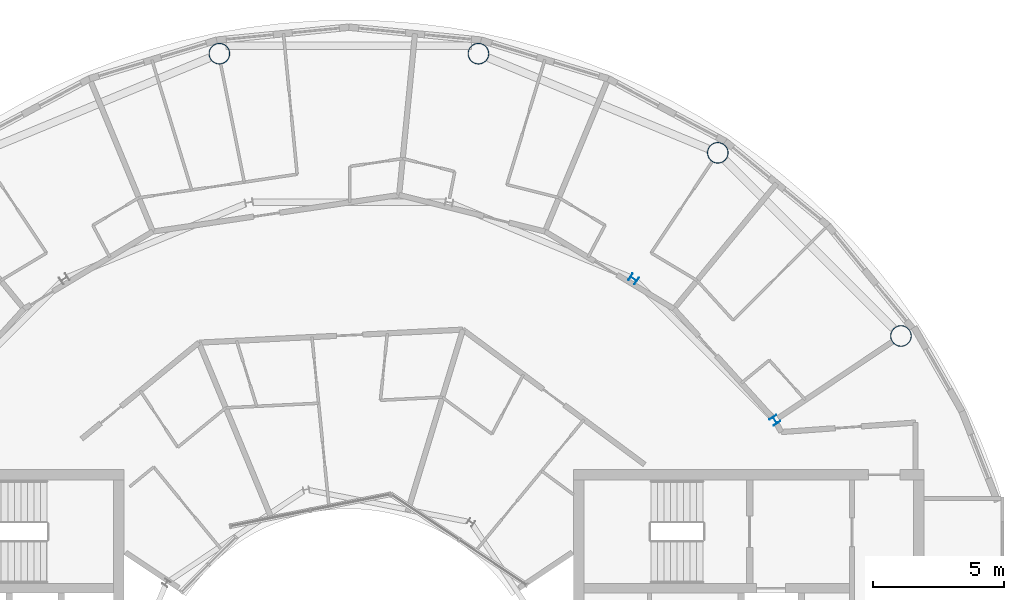
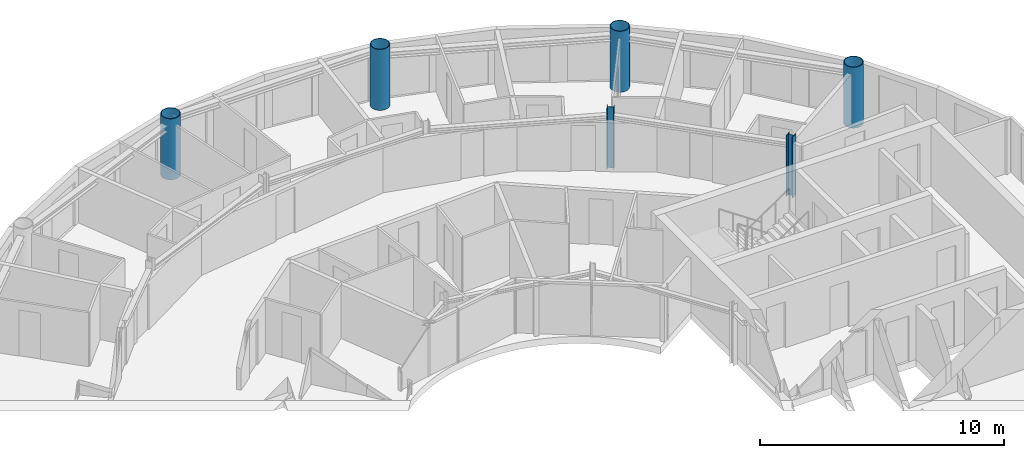
# One storey, part 5 of 22: 6 columns.
"""IFC4 building model written with IfcOpenShell, lengths in metres."""

from ifc_helpers import new_model, si_unit, direction, frame, origin, origin_2d, place, context, subcontext, project, spatial, hollow_circle, i_section, extrude, material, material_profile, profile_set, type_object, element, save


model = new_model("IFC4")

# Units and contexts
model_context = context("Model", 3, precision=1e-05, world=origin(), true_north=direction((0.0, 1.0)))
body_context = subcontext(model_context, "Body", "Model", "MODEL_VIEW")
ifc_project = project(units=[si_unit("LENGTHUNIT", "METRE"), si_unit("AREAUNIT", "SQUARE_METRE"), si_unit("VOLUMEUNIT", "CUBIC_METRE"), si_unit("PLANEANGLEUNIT", "RADIAN"), si_unit("MASSUNIT", "GRAM", prefix="KILO")], contexts=[model_context])

# Site, building, storey
site_placement = place(None, origin())
site = spatial("IfcSite", under=ifc_project, at=site_placement, CompositionType="ELEMENT")
building_placement = place(site_placement, origin())
building = spatial("IfcBuilding", under=site, at=building_placement, Name="Maasbend Ring Residences", CompositionType="ELEMENT")
storey_placement = place(building_placement, frame((0.0, 0.0, 237.10009765625)))
storey = spatial("IfcBuildingStorey", under=building, at=storey_placement, Name="L68", CompositionType="ELEMENT", Elevation=237.10009765625)

# Columns
ifc_material_1 = material(Name="Composite concrete-filled steel tube S460NH / C80/95", Category="concrete")
ifc_material_profile_1 = material_profile(ifc_material_1, hollow_circle(Radius=0.406494140625, WallThickness=0.030029296875, at=origin_2d()), Name="Composite tube column CHS 813x30")
ifc_profile_set_1 = profile_set([ifc_material_profile_1], Name="Composite concrete-filled steel tube S460NH / C80/95")
column_type_1 = type_object("IfcColumnType", Name="Composite tube column CHS 813x30", PredefinedType="COLUMN", material=ifc_profile_set_1)
for number, where, z_axis, x_axis, name in (
    (1, (21.119384765625, 14.111572265625, 0.0), (0.0, 0.0, 1.0), (1.0, 0.0, 0.0), "Outer column R2"),
    (2, (14.111572265625, 21.119384765625, 0.0), (0.0, 0.0, 1.0), (1.0, 0.0, 0.0), "Outer column R3"),
    (3, (4.955322265625, 24.911865234375, 0.0), (0.0, 0.0, 1.0), (1.0, 0.0, 0.0), "Outer column R4"),
    (4, (-4.955322265625, 24.911865234375, 0.0), (0.0, 0.0, 1.0), (1.0, 0.0, 0.0), "Outer column R5"),
):
    element("IfcColumn", number, at=place(storey_placement, frame(where, z_axis=z_axis, x_axis=x_axis)), inside=storey, type_object=column_type_1, Name=name, PredefinedType="COLUMN", context=body_context, shape_type="SweptSolid", body=[
        extrude(hollow_circle(Radius=0.406494140625, WallThickness=0.030029296875, at=origin_2d()), origin(), (0.0, 0.0, 1.0), 3.0498046875),
    ])
ifc_material_2 = material(Name="Steel S355J2", Category="steel")
ifc_material_profile_2 = material_profile(ifc_material_2, i_section(OverallWidth=0.300048828125, OverallDepth=0.300048828125, WebThickness=0.010986328125, FlangeThickness=0.01904296875, FilletRadius=0.027099609375, at=origin_2d()), Name="HEB 300")
ifc_profile_set_2 = profile_set([ifc_material_profile_2], Name="Steel S355J2")
column_type_2 = type_object("IfcColumnType", Name="Steel column HEB 300", PredefinedType="COLUMN", material=ifc_profile_set_2)
for number, where, z_axis, x_axis, name in (
    (5, (16.296875, 10.88916015625, 0.0), (0.0, 0.0, 1.0), (0.831469612303, 0.55557023302, 0.0), "Corridor ring column R2"),
    (6, (10.88916015625, 16.296875, 0.0), (0.0, 0.0, 1.0), (0.55557023302, 0.831469612303, 0.0), "Corridor ring column R3"),
):
    element("IfcColumn", number, at=place(storey_placement, frame(where, z_axis=z_axis, x_axis=x_axis)), inside=storey, type_object=column_type_2, Name=name, PredefinedType="COLUMN", context=body_context, shape_type="SweptSolid", body=[
        extrude(i_section(OverallWidth=0.300048828125, OverallDepth=0.300048828125, WebThickness=0.010986328125, FlangeThickness=0.01904296875, FilletRadius=0.027099609375, at=origin_2d()), origin(), (0.0, 0.0, 1.0), 3.0498046875),
    ])

save(model, "model.ifc")
